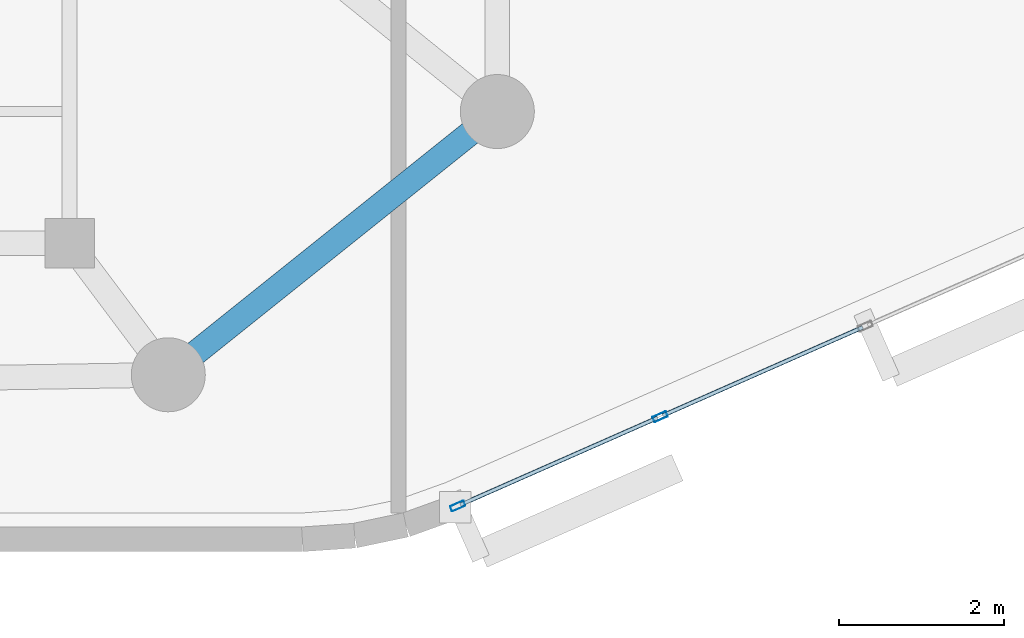
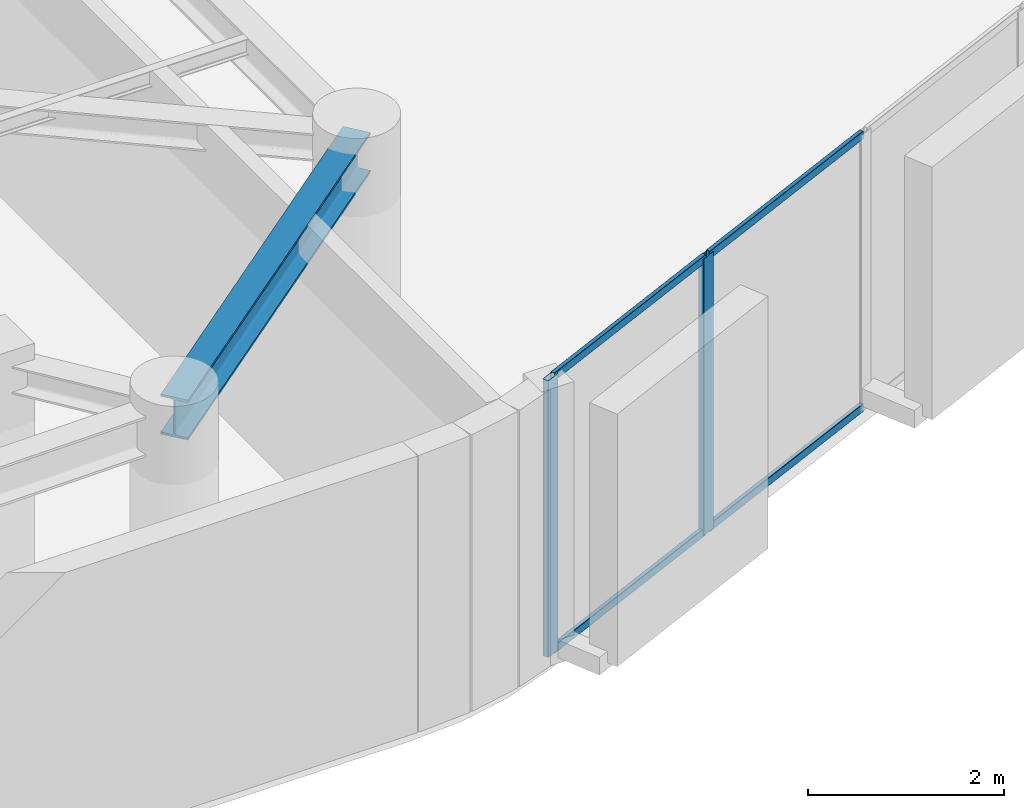
# One storey, part 2 of 13: 6 members, 1 beam, 1 element without a shape of its own.
"""IFC4 building model written with IfcOpenShell, lengths in metres."""

from ifc_helpers import new_model, si_unit, direction, frame, origin, origin_2d, place, context, subcontext, project, spatial, hollow_rectangle, i_section, extrude, material, layer, layer_set, material_profile, profile_set, type_object, element, aggregate, save


model = new_model("IFC4")

# Units and contexts
model_context = context("Model", 3, precision=1e-05, world=origin(), true_north=direction((0.0, 1.0)))
body_context = subcontext(model_context, "Body", "Model", "MODEL_VIEW")
ifc_project = project(units=[si_unit("LENGTHUNIT", "METRE"), si_unit("AREAUNIT", "SQUARE_METRE"), si_unit("VOLUMEUNIT", "CUBIC_METRE"), si_unit("PLANEANGLEUNIT", "RADIAN"), si_unit("MASSUNIT", "GRAM", prefix="KILO")], contexts=[model_context])

# Site, building, storey
site_placement = place(None, origin())
site = spatial("IfcSite", under=ifc_project, at=site_placement, CompositionType="ELEMENT")
building_placement = place(site_placement, origin())
building = spatial("IfcBuilding", under=site, at=building_placement, Name="An Khanh Terracotta Commons", CompositionType="ELEMENT")
storey_placement = place(building_placement, frame((0.0, 0.0, 288.0)))
storey = spatial("IfcBuildingStorey", under=building, at=storey_placement, Name="L75", CompositionType="ELEMENT", Elevation=288.0)

# Beam
ifc_material_1 = material(Name="Steel S355J2", Category="steel")
ifc_material_profile_1 = material_profile(ifc_material_1, i_section(OverallWidth=0.300048828125, OverallDepth=0.5, WebThickness=0.014404296875, FlangeThickness=0.028076171875, FilletRadius=0.027099609375, at=origin_2d()), Name="HEB500")
ifc_profile_set_1 = profile_set([ifc_material_profile_1], Name="Steel S355J2")
beam_type = type_object("IfcBeamType", Name="BM-HEB500", PredefinedType="BEAM", material=ifc_profile_set_1)
beam_placement = place(storey_placement, frame((59.39990234375, 12.800048828125, 3.199951171875), z_axis=(0.780873459249, 0.624689235253, 0.0), x_axis=(-0.624689235253, 0.780873459249, 0.0)))
element("IfcBeam", 1, at=beam_placement, inside=storey, type_object=beam_type, Name="L75 Perimeter Ring Spandrel 2", PredefinedType="BEAM", context=body_context, shape_type="SweptSolid", body=[
    extrude(i_section(OverallWidth=0.300048828125, OverallDepth=0.5, WebThickness=0.014404296875, FlangeThickness=0.028076171875, FilletRadius=0.027099609375, at=origin_2d()), origin(), (0.0, 0.0, 1.0), 5.12255859375),
])

# Curtain wall, members
ifc_material_2 = material(Name="Anodised Aluminium 6063-T6", Category="aluminium")
ifc_layer = layer(ifc_material_2, 0.2099609375, Name="Anodised Aluminium 6063-T6")
ifc_layer_set = layer_set([ifc_layer], Name="Anodised Aluminium 6063-T6")
curtain_wall_type = type_object("IfcCurtainWallType", Name="CW-SYS-03", PredefinedType="USERDEFINED", material=ifc_layer_set)
curtain_wall_placement = place(storey_placement, origin())
curtain_wall = element("IfcCurtainWall", 2, at=curtain_wall_placement, inside=storey, type_object=curtain_wall_type, Name="L75 CW-03 Unitised Curtain Wall CW-L75-08", ObjectType="UNITISED CURTAIN WALL", PredefinedType="USERDEFINED")
ifc_material_profile_2 = material_profile(ifc_material_2, hollow_rectangle(XDim=0.070068359375, YDim=0.179931640625, WallThickness=0.00390625, InnerFilletRadius=0.00390625, OuterFilletRadius=0.008056640625, at=origin_2d()), Name="RHS180x70x4")
ifc_profile_set_2 = profile_set([ifc_material_profile_2], Name="Anodised Aluminium 6063-T6")
member_type_1 = type_object("IfcMemberType", Name="CWM-RHS180x70x4", PredefinedType="MULLION", material=ifc_profile_set_2)
member_1_placement = place(storey_placement, frame((62.9189453125, 11.205078125, 0.0), z_axis=(0.0, 0.0, 1.0), x_axis=(-0.403676354285, 0.914901853201, 0.0)))
member_1 = element("IfcMember", 3, at=member_1_placement, type_object=member_type_1, Name="CW-03 mullion 1", PredefinedType="MULLION", context=body_context, shape_type="SweptSolid", body=[
    extrude(hollow_rectangle(XDim=0.070068359375, YDim=0.179931640625, WallThickness=0.00390625, InnerFilletRadius=0.00390625, OuterFilletRadius=0.008056640625, at=origin_2d()), origin(), (0.0, 0.0, 1.0), 3.449951171875),
])
member_2_placement = place(storey_placement, frame((65.37939453125, 12.290771484375, 0.0), z_axis=(0.0, 0.0, 1.0), x_axis=(-0.403676354285, 0.914901853201, 0.0)))
member_2 = element("IfcMember", 4, at=member_2_placement, type_object=member_type_1, Name="CW-03 mullion 2", PredefinedType="MULLION", context=body_context, shape_type="SweptSolid", body=[
    extrude(hollow_rectangle(XDim=0.070068359375, YDim=0.179931640625, WallThickness=0.00390625, InnerFilletRadius=0.00390625, OuterFilletRadius=0.008056640625, at=origin_2d()), origin(), (0.0, 0.0, 1.0), 3.449951171875),
])
ifc_material_profile_3 = material_profile(ifc_material_2, hollow_rectangle(XDim=0.050048828125, YDim=0.10009765625, WallThickness=0.003173828125, InnerFilletRadius=0.003173828125, OuterFilletRadius=0.00634765625, at=origin_2d()), Name="RHS100x50x3.2")
ifc_profile_set_3 = profile_set([ifc_material_profile_3], Name="Anodised Aluminium 6063-T6")
member_type_2 = type_object("IfcMemberType", Name="CWT-RHS100x50x3.2", PredefinedType="USERDEFINED", material=ifc_profile_set_3)
member_3_placement = place(storey_placement, frame((62.950927734375, 11.21923828125, 0.02490234375), z_axis=(0.914903627858, 0.403672332137, 0.0), x_axis=(-0.403672332137, 0.914903627858, 0.0)))
member_3 = element("IfcMember", 5, at=member_3_placement, type_object=member_type_2, Name="CW-03 transom 1.1", ObjectType="TRANSOM", PredefinedType="USERDEFINED", context=body_context, shape_type="SweptSolid", body=[
    extrude(hollow_rectangle(XDim=0.050048828125, YDim=0.10009765625, WallThickness=0.003173828125, InnerFilletRadius=0.003173828125, OuterFilletRadius=0.00634765625, at=origin_2d()), origin(), (0.0, 0.0, 1.0), 2.619384765625),
])
member_4_placement = place(storey_placement, frame((62.950927734375, 11.21923828125, 3.425048828125), z_axis=(0.914903627858, 0.403672332137, 0.0), x_axis=(-0.403672332137, 0.914903627858, 0.0)))
member_4 = element("IfcMember", 6, at=member_4_placement, type_object=member_type_2, Name="CW-03 transom 1.2", ObjectType="TRANSOM", PredefinedType="USERDEFINED", context=body_context, shape_type="SweptSolid", body=[
    extrude(hollow_rectangle(XDim=0.050048828125, YDim=0.10009765625, WallThickness=0.003173828125, InnerFilletRadius=0.003173828125, OuterFilletRadius=0.00634765625, at=origin_2d()), origin(), (0.0, 0.0, 1.0), 2.619384765625),
])
member_5_placement = place(storey_placement, frame((65.41162109375, 12.304931640625, 0.02490234375), z_axis=(0.914896820753, 0.403687759755, 0.0), x_axis=(-0.403687759755, 0.914896820753, 0.0)))
member_5 = element("IfcMember", 7, at=member_5_placement, type_object=member_type_2, Name="CW-03 transom 2.1", ObjectType="TRANSOM", PredefinedType="USERDEFINED", context=body_context, shape_type="SweptSolid", body=[
    extrude(hollow_rectangle(XDim=0.050048828125, YDim=0.10009765625, WallThickness=0.003173828125, InnerFilletRadius=0.003173828125, OuterFilletRadius=0.00634765625, at=origin_2d()), origin(), (0.0, 0.0, 1.0), 2.654296875),
])
member_6_placement = place(storey_placement, frame((65.41162109375, 12.304931640625, 3.425048828125), z_axis=(0.914896820753, 0.403687759755, 0.0), x_axis=(-0.403687759755, 0.914896820753, 0.0)))
member_6 = element("IfcMember", 8, at=member_6_placement, type_object=member_type_2, Name="CW-03 transom 2.2", ObjectType="TRANSOM", PredefinedType="USERDEFINED", context=body_context, shape_type="SweptSolid", body=[
    extrude(hollow_rectangle(XDim=0.050048828125, YDim=0.10009765625, WallThickness=0.003173828125, InnerFilletRadius=0.003173828125, OuterFilletRadius=0.00634765625, at=origin_2d()), origin(), (0.0, 0.0, 1.0), 2.654296875),
])
aggregate(curtain_wall, [member_1, member_2, member_3, member_4, member_5, member_6])

save(model, "model.ifc")
